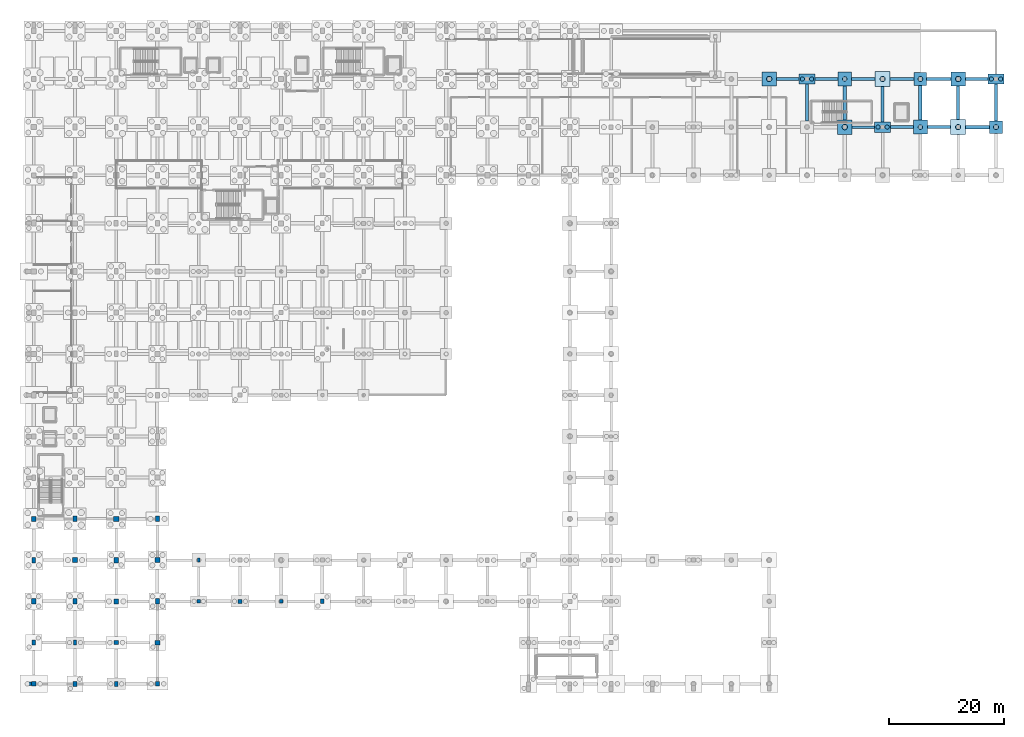
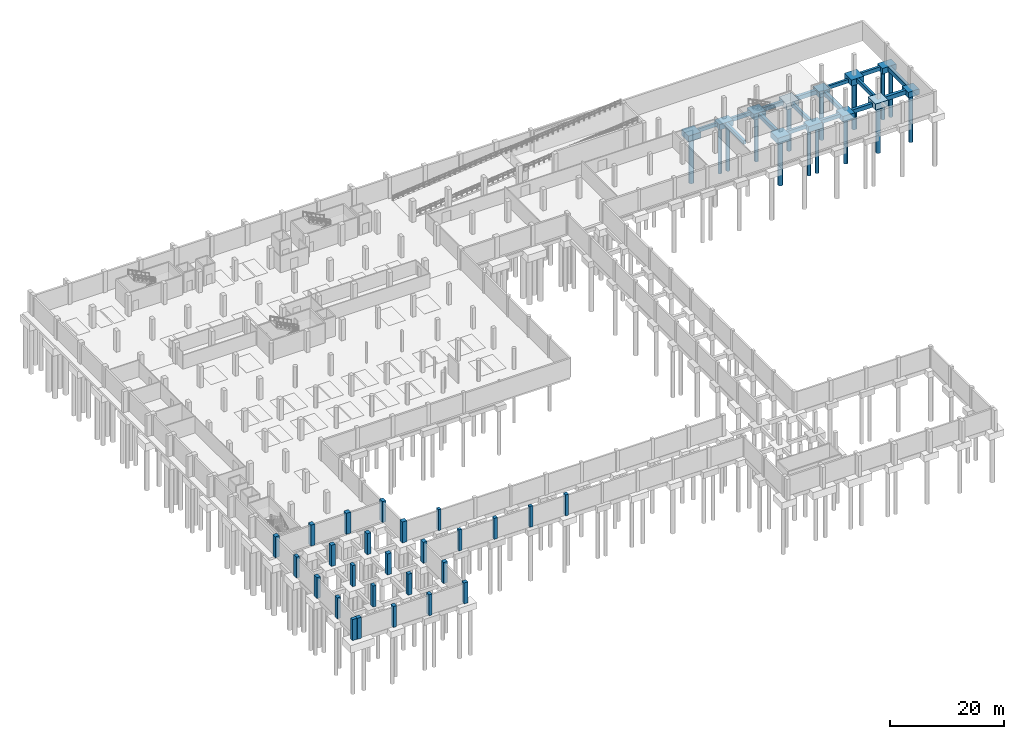
# One storey, part 13 of 35: 28 footings, 26 columns, 15 piles.
"""IFC4 building model written with IfcOpenShell, lengths in metres."""

from ifc_helpers import new_model, si_unit, direction, frame, origin, origin_2d, place, context, subcontext, project, spatial, rectangle, circle, extrude, material, material_profile, profile_set, type_object, element, save


model = new_model("IFC4")

# Units and contexts
model_context = context("Model", 3, precision=1e-05, world=origin(), true_north=direction((0.0, 1.0)))
body_context = subcontext(model_context, "Body", "Model", "MODEL_VIEW")
ifc_project = project(units=[si_unit("LENGTHUNIT", "METRE"), si_unit("AREAUNIT", "SQUARE_METRE"), si_unit("VOLUMEUNIT", "CUBIC_METRE"), si_unit("PLANEANGLEUNIT", "RADIAN"), si_unit("MASSUNIT", "GRAM", prefix="KILO")], contexts=[model_context])

# Site, building, storey
site_placement = place(None, origin())
site = spatial("IfcSite", under=ifc_project, at=site_placement, CompositionType="ELEMENT")
building_placement = place(site_placement, origin())
building = spatial("IfcBuilding", under=site, at=building_placement, Name="Kalluvel Institute of Natural Sciences", CompositionType="ELEMENT")
storey_placement = place(building_placement, frame((0.0, 0.0, -4.5)))
storey = spatial("IfcBuildingStorey", under=building, at=storey_placement, Name="B1", CompositionType="ELEMENT", Elevation=-4.5)

# Footings
ifc_material_1 = material(Name="Concrete M40", Category="concrete")
footing_type_1 = type_object("IfcFootingType", Name="FB-450x750", PredefinedType="FOOTING_BEAM", material=ifc_material_1)
for number, where, z_axis, x_axis, name in (
    (1, (158.824951171875, 111.199951171875, -1.199951171875), (0.0, 0.0, 1.0), (1.0, 0.0, 0.0), "Foundation tie beam GB-X-156"),
    (2, (145.625, 119.60009765625, -1.199951171875), (0.0, 0.0, 1.0), (1.0, 0.0, 0.0), "Foundation tie beam GB-X-176"),
):
    element("IfcFooting", number, at=place(storey_placement, frame(where, z_axis=z_axis, x_axis=x_axis)), inside=storey, type_object=footing_type_1, Name=name, PredefinedType="FOOTING_BEAM", context=body_context, shape_type="SweptSolid", body=[
        extrude(rectangle(XDim=3.949951171875, YDim=0.449951171875, at=origin_2d()), origin(), (0.0, 0.0, 1.0), 0.75),
    ])
footing_1_placement = place(storey_placement, frame((172.02490234375, 119.60009765625, -1.199951171875), z_axis=(0.0, 0.0, 1.0), x_axis=(1.0, 0.0, 0.0)))
element("IfcFooting", 3, at=footing_1_placement, inside=storey, type_object=footing_type_1, Name="Foundation tie beam GB-X-180", PredefinedType="FOOTING_BEAM", context=body_context, shape_type="SweptSolid", body=[
    extrude(rectangle(XDim=4.25, YDim=0.449951171875, at=origin_2d()), origin(), (0.0, 0.0, 1.0), 0.75),
])
footing_type_2 = type_object("IfcFootingType", Name="FB-500x800", PredefinedType="FOOTING_BEAM", material=ifc_material_1)
for number, where, z_axis, x_axis, name in (
    (4, (165.60009765625, 111.199951171875, -1.25), (0.0, 0.0, 1.0), (1.0, 0.0, 0.0), "Foundation tie beam GB-X-157"),
    (5, (152.39990234375, 119.60009765625, -1.25), (0.0, 0.0, 1.0), (1.0, 0.0, 0.0), "Foundation tie beam GB-X-177"),
):
    element("IfcFooting", number, at=place(storey_placement, frame(where, z_axis=z_axis, x_axis=x_axis)), inside=storey, type_object=footing_type_2, Name=name, PredefinedType="FOOTING_BEAM", context=body_context, shape_type="SweptSolid", body=[
        extrude(rectangle(XDim=4.0, YDim=0.5, at=origin_2d()), origin(), (0.0, 0.0, 1.0), 0.800048828125),
    ])
footing_2_placement = place(storey_placement, frame((178.625, 119.60009765625, -0.7998046875), z_axis=(0.0, 0.0, 1.0), x_axis=(1.0, 0.0, 0.0)))
element("IfcFooting", 6, at=footing_2_placement, inside=storey, type_object=footing_type_2, Name="Foundation tie beam GB-X-181", PredefinedType="FOOTING_BEAM", context=body_context, shape_type="SweptSolid", body=[
    extrude(rectangle(XDim=3.949951171875, YDim=0.5, at=origin_2d()), origin(), (0.0, 0.0, 1.0), 0.800048828125),
])
footing_3_placement = place(storey_placement, frame((149.0, 115.5, -1.25), z_axis=(0.0, 0.0, 1.0), x_axis=(1.0, 0.0, 0.0)))
element("IfcFooting", 7, at=footing_3_placement, inside=storey, type_object=footing_type_2, Name="Foundation tie beam GB-Y-369", PredefinedType="FOOTING_BEAM", context=body_context, shape_type="SweptSolid", body=[
    extrude(rectangle(XDim=0.5, YDim=6.39990234375, at=origin_2d()), origin(), (0.0, 0.0, 1.0), 0.800048828125),
])
footing_4_placement = place(storey_placement, frame((162.199951171875, 115.199951171875, -1.25), z_axis=(0.0, 0.0, 1.0), x_axis=(1.0, 0.0, 0.0)))
element("IfcFooting", 8, at=footing_4_placement, inside=storey, type_object=footing_type_2, Name="Foundation tie beam GB-Y-373", PredefinedType="FOOTING_BEAM", context=body_context, shape_type="SweptSolid", body=[
    extrude(rectangle(XDim=0.5, YDim=6.199951171875, at=origin_2d()), origin(), (0.0, 0.0, 1.0), 0.800048828125),
])
footing_5_placement = place(storey_placement, frame((175.39990234375, 115.425048828125, -0.7998046875), z_axis=(0.0, 0.0, 1.0), x_axis=(1.0, 0.0, 0.0)))
element("IfcFooting", 9, at=footing_5_placement, inside=storey, type_object=footing_type_2, Name="Foundation tie beam GB-Y-377", PredefinedType="FOOTING_BEAM", context=body_context, shape_type="SweptSolid", body=[
    extrude(rectangle(XDim=0.5, YDim=5.85009765625, at=origin_2d()), origin(), (0.0, 0.0, 1.0), 0.800048828125),
])
footing_type_3 = type_object("IfcFootingType", Name="FB-550x850", PredefinedType="FOOTING_BEAM", material=ifc_material_1)
for number, where, z_axis, x_axis, name in (
    (10, (172.050048828125, 111.199951171875, -1.300048828125), (0.0, 0.0, 1.0), (1.0, 0.0, 0.0), "Foundation tie beam GB-X-158"),
    (11, (158.85009765625, 119.60009765625, -1.300048828125), (0.0, 0.0, 1.0), (1.0, 0.0, 0.0), "Foundation tie beam GB-X-178"),
):
    element("IfcFooting", number, at=place(storey_placement, frame(where, z_axis=z_axis, x_axis=x_axis)), inside=storey, type_object=footing_type_3, Name=name, PredefinedType="FOOTING_BEAM", context=body_context, shape_type="SweptSolid", body=[
        extrude(rectangle(XDim=4.10009765625, YDim=0.550048828125, at=origin_2d()), origin(), (0.0, 0.0, 1.0), 0.85009765625),
    ])
footing_type_4 = type_object("IfcFootingType", Name="FB-600x900", PredefinedType="FOOTING_BEAM", material=ifc_material_1)
for number, where, z_axis, x_axis, name in (
    (12, (178.800048828125, 111.199951171875, -0.89990234375), (0.0, 0.0, 1.0), (1.0, 0.0, 0.0), "Foundation tie beam GB-X-159"),
    (13, (165.60009765625, 119.60009765625, -1.349853515625), (0.0, 0.0, 1.0), (1.0, 0.0, 0.0), "Foundation tie beam GB-X-179"),
):
    element("IfcFooting", number, at=place(storey_placement, frame(where, z_axis=z_axis, x_axis=x_axis)), inside=storey, type_object=footing_type_4, Name=name, PredefinedType="FOOTING_BEAM", context=body_context, shape_type="SweptSolid", body=[
        extrude(rectangle(XDim=4.199951171875, YDim=0.60009765625, at=origin_2d()), origin(), (0.0, 0.0, 1.0), 0.89990234375),
    ])
footing_6_placement = place(storey_placement, frame((155.60009765625, 115.425048828125, -1.349853515625), z_axis=(0.0, 0.0, 1.0), x_axis=(1.0, 0.0, 0.0)))
element("IfcFooting", 14, at=footing_6_placement, inside=storey, type_object=footing_type_4, Name="Foundation tie beam GB-Y-371", PredefinedType="FOOTING_BEAM", context=body_context, shape_type="SweptSolid", body=[
    extrude(rectangle(XDim=0.60009765625, YDim=5.949951171875, at=origin_2d()), origin(), (0.0, 0.0, 1.0), 0.89990234375),
])
footing_7_placement = place(storey_placement, frame((168.800048828125, 115.449951171875, -1.349853515625), z_axis=(0.0, 0.0, 1.0), x_axis=(1.0, 0.0, 0.0)))
element("IfcFooting", 15, at=footing_7_placement, inside=storey, type_object=footing_type_4, Name="Foundation tie beam GB-Y-375", PredefinedType="FOOTING_BEAM", context=body_context, shape_type="SweptSolid", body=[
    extrude(rectangle(XDim=0.60009765625, YDim=6.10009765625, at=origin_2d()), origin(), (0.0, 0.0, 1.0), 0.89990234375),
])
footing_8_placement = place(storey_placement, frame((182.0, 115.5, -0.89990234375), z_axis=(0.0, 0.0, 1.0), x_axis=(1.0, 0.0, 0.0)))
element("IfcFooting", 16, at=footing_8_placement, inside=storey, type_object=footing_type_4, Name="Foundation tie beam GB-Y-379", PredefinedType="FOOTING_BEAM", context=body_context, shape_type="SweptSolid", body=[
    extrude(rectangle(XDim=0.60009765625, YDim=6.39990234375, at=origin_2d()), origin(), (0.0, 0.0, 1.0), 0.89990234375),
])
footing_type_5 = type_object("IfcFootingType", Name="PC-2200x2200x1200", PredefinedType="PILE_CAP", material=ifc_material_1)
for number, where, z_axis, x_axis, name in (
    (17, (168.800048828125, 119.60009765625, -1.64990234375), (0.0, 0.0, 1.0), (1.0, 0.0, 0.0), "Pile cap CAP-220"),
    (18, (182.0, 111.199951171875, -1.2001953125), (0.0, 0.0, 1.0), (1.0, 0.0, 0.0), "Pile cap CAP-225"),
):
    element("IfcFooting", number, at=place(storey_placement, frame(where, z_axis=z_axis, x_axis=x_axis)), inside=storey, type_object=footing_type_5, Name=name, PredefinedType="PILE_CAP", context=body_context, shape_type="SweptSolid", body=[
        extrude(rectangle(XDim=2.199951171875, YDim=2.199951171875, at=origin_2d()), origin(), (0.0, 0.0, 1.0), 1.199951171875),
    ])
footing_type_6 = type_object("IfcFootingType", Name="PC-2400x2400x1250", PredefinedType="PILE_CAP", material=ifc_material_1)
for number, where, z_axis, x_axis, name in (
    (19, (155.60009765625, 119.60009765625, -1.699951171875), (0.0, 0.0, 1.0), (1.0, 0.0, 0.0), "Pile cap CAP-214"),
    (20, (168.800048828125, 111.199951171875, -1.699951171875), (0.0, 0.0, 1.0), (1.0, 0.0, 0.0), "Pile cap CAP-219"),
):
    element("IfcFooting", number, at=place(storey_placement, frame(where, z_axis=z_axis, x_axis=x_axis)), inside=storey, type_object=footing_type_6, Name=name, PredefinedType="PILE_CAP", context=body_context, shape_type="SweptSolid", body=[
        extrude(rectangle(XDim=2.39990234375, YDim=2.39990234375, at=origin_2d()), origin(), (0.0, 0.0, 1.0), 1.25),
    ])
footing_type_7 = type_object("IfcFootingType", Name="PC-2500x2500x1280", PredefinedType="PILE_CAP", material=ifc_material_1)
for number, where, z_axis, x_axis, name in (
    (21, (142.39990234375, 119.60009765625, -1.72998046875), (0.0, 0.0, 1.0), (1.0, 0.0, 0.0), "Pile cap CAP-208"),
    (22, (155.60009765625, 111.199951171875, -1.72998046875), (0.0, 0.0, 1.0), (1.0, 0.0, 0.0), "Pile cap CAP-213"),
    (23, (175.39990234375, 119.60009765625, -1.27978515625), (0.0, 0.0, 1.0), (1.0, 0.0, 0.0), "Pile cap CAP-223"),
):
    element("IfcFooting", number, at=place(storey_placement, frame(where, z_axis=z_axis, x_axis=x_axis)), inside=storey, type_object=footing_type_7, Name=name, PredefinedType="PILE_CAP", context=body_context, shape_type="SweptSolid", body=[
        extrude(rectangle(XDim=2.5, YDim=2.5, at=origin_2d()), origin(), (0.0, 0.0, 1.0), 1.280029296875),
    ])
footing_type_8 = type_object("IfcFootingType", Name="PC-2600x2600x1300", PredefinedType="PILE_CAP", material=ifc_material_1)
for number, where, z_axis, x_axis, name in (
    (24, (162.199951171875, 119.60009765625, -1.75), (0.0, 0.0, 1.0), (1.0, 0.0, 0.0), "Pile cap CAP-217"),
    (25, (175.39990234375, 111.199951171875, -1.2998046875), (0.0, 0.0, 1.0), (1.0, 0.0, 0.0), "Pile cap CAP-222"),
):
    element("IfcFooting", number, at=place(storey_placement, frame(where, z_axis=z_axis, x_axis=x_axis)), inside=storey, type_object=footing_type_8, Name=name, PredefinedType="PILE_CAP", context=body_context, shape_type="SweptSolid", body=[
        extrude(rectangle(XDim=2.60009765625, YDim=2.60009765625, at=origin_2d()), origin(), (0.0, 0.0, 1.0), 1.300048828125),
    ])
footing_type_9 = type_object("IfcFootingType", Name="PC-2800x1800x1200", PredefinedType="PILE_CAP", material=ifc_material_1)
for number, where, z_axis, x_axis, name in (
    (26, (149.0, 119.60009765625, -1.64990234375), (0.0, 0.0, 1.0), (1.0, 0.0, 0.0), "Pile cap CAP-211"),
    (27, (162.199951171875, 111.199951171875, -1.64990234375), (0.0, 0.0, 1.0), (1.0, 0.0, 0.0), "Pile cap CAP-216"),
    (28, (182.0, 119.60009765625, -1.2001953125), (0.0, 0.0, 1.0), (1.0, 0.0, 0.0), "Pile cap CAP-226"),
):
    element("IfcFooting", number, at=place(storey_placement, frame(where, z_axis=z_axis, x_axis=x_axis)), inside=storey, type_object=footing_type_9, Name=name, PredefinedType="PILE_CAP", context=body_context, shape_type="SweptSolid", body=[
        extrude(rectangle(XDim=2.800048828125, YDim=1.800048828125, at=origin_2d()), origin(), (0.0, 0.0, 1.0), 1.199951171875),
    ])

# Piles
ifc_material_profile_1 = material_profile(ifc_material_1, circle(Radius=0.375, at=origin_2d()), Name="PILE D750")
ifc_profile_set_1 = profile_set([ifc_material_profile_1], Name="Concrete M40")
pile_type_1 = type_object("IfcPileType", Name="PILE-D750", PredefinedType="BORED", material=ifc_profile_set_1)
for number, where, z_axis, x_axis, name in (
    (29, (148.199951171875, 119.60009765625, -1.530029296875), (0.0, 0.0, -1.0), (1.0, 0.0, 0.0), "Bored rock-socketed pile PILE-X14820-Y11960"),
    (30, (149.800048828125, 119.60009765625, -1.530029296875), (0.0, 0.0, -1.0), (1.0, 0.0, 0.0), "Bored rock-socketed pile PILE-X14980-Y11960"),
    (31, (161.39990234375, 111.199951171875, -1.530029296875), (0.0, 0.0, -1.0), (1.0, 0.0, 0.0), "Bored rock-socketed pile PILE-X16140-Y11120"),
    (32, (163.0, 111.199951171875, -1.530029296875), (0.0, 0.0, -1.0), (1.0, 0.0, 0.0), "Bored rock-socketed pile PILE-X16300-Y11120"),
):
    element("IfcPile", number, at=place(storey_placement, frame(where, z_axis=z_axis, x_axis=x_axis)), inside=storey, type_object=pile_type_1, Name=name, PredefinedType="BORED", context=body_context, shape_type="SweptSolid", body=[
        extrude(circle(Radius=0.375, at=origin_2d()), origin(), (0.0, 0.0, 1.0), 9.969970703125),
    ])
for number, where, z_axis, x_axis, name in (
    (33, (181.199951171875, 119.60009765625, -1.080078125), (0.0, 0.0, -1.0), (1.0, 0.0, 0.0), "Bored rock-socketed pile PILE-X18120-Y11960"),
    (34, (182.800048828125, 119.60009765625, -1.080078125), (0.0, 0.0, -1.0), (1.0, 0.0, 0.0), "Bored rock-socketed pile PILE-X18280-Y11960"),
):
    element("IfcPile", number, at=place(storey_placement, frame(where, z_axis=z_axis, x_axis=x_axis)), inside=storey, type_object=pile_type_1, Name=name, PredefinedType="BORED", context=body_context, shape_type="SweptSolid", body=[
        extrude(circle(Radius=0.375, at=origin_2d()), origin(), (0.0, 0.0, 1.0), 10.419921875),
    ])
ifc_material_profile_2 = material_profile(ifc_material_1, circle(Radius=0.39990234375, at=origin_2d()), Name="PILE D800")
ifc_profile_set_2 = profile_set([ifc_material_profile_2], Name="Concrete M40")
pile_type_2 = type_object("IfcPileType", Name="PILE-D800", PredefinedType="BORED", material=ifc_profile_set_2)
for number, where, z_axis, x_axis, name in (
    (35, (155.60009765625, 119.60009765625, -1.580078125), (0.0, 0.0, -1.0), (1.0, 0.0, 0.0), "Bored rock-socketed pile PILE-X15560-Y11960"),
    (36, (168.800048828125, 111.199951171875, -1.580078125), (0.0, 0.0, -1.0), (1.0, 0.0, 0.0), "Bored rock-socketed pile PILE-X16880-Y11120"),
):
    element("IfcPile", number, at=place(storey_placement, frame(where, z_axis=z_axis, x_axis=x_axis)), inside=storey, type_object=pile_type_2, Name=name, PredefinedType="BORED", context=body_context, shape_type="SweptSolid", body=[
        extrude(circle(Radius=0.39990234375, at=origin_2d()), origin(), (0.0, 0.0, 1.0), 9.919921875),
    ])
ifc_material_profile_3 = material_profile(ifc_material_1, circle(Radius=0.425048828125, at=origin_2d()), Name="PILE D850")
ifc_profile_set_3 = profile_set([ifc_material_profile_3], Name="Concrete M40")
pile_type_3 = type_object("IfcPileType", Name="PILE-D850", PredefinedType="BORED", material=ifc_profile_set_3)
pile_1_placement = place(storey_placement, frame((168.800048828125, 119.60009765625, -1.530029296875), z_axis=(0.0, 0.0, -1.0), x_axis=(1.0, 0.0, 0.0)))
element("IfcPile", 37, at=pile_1_placement, inside=storey, type_object=pile_type_3, Name="Bored rock-socketed pile PILE-X16880-Y11960", PredefinedType="BORED", context=body_context, shape_type="SweptSolid", body=[
    extrude(circle(Radius=0.425048828125, at=origin_2d()), origin(), (0.0, 0.0, 1.0), 9.969970703125),
])
pile_2_placement = place(storey_placement, frame((182.0, 111.199951171875, -1.080078125), z_axis=(0.0, 0.0, -1.0), x_axis=(1.0, 0.0, 0.0)))
element("IfcPile", 38, at=pile_2_placement, inside=storey, type_object=pile_type_3, Name="Bored rock-socketed pile PILE-X18200-Y11120", PredefinedType="BORED", context=body_context, shape_type="SweptSolid", body=[
    extrude(circle(Radius=0.425048828125, at=origin_2d()), origin(), (0.0, 0.0, 1.0), 10.419921875),
])
ifc_material_profile_4 = material_profile(ifc_material_1, circle(Radius=0.449951171875, at=origin_2d()), Name="PILE D900")
ifc_profile_set_4 = profile_set([ifc_material_profile_4], Name="Concrete M40")
pile_type_4 = type_object("IfcPileType", Name="PILE-D900", PredefinedType="BORED", material=ifc_profile_set_4)
pile_3_placement = place(storey_placement, frame((162.199951171875, 119.60009765625, -1.6298828125), z_axis=(0.0, 0.0, -1.0), x_axis=(1.0, 0.0, 0.0)))
element("IfcPile", 39, at=pile_3_placement, inside=storey, type_object=pile_type_4, Name="Bored rock-socketed pile PILE-X16220-Y11960", PredefinedType="BORED", context=body_context, shape_type="SweptSolid", body=[
    extrude(circle(Radius=0.449951171875, at=origin_2d()), origin(), (0.0, 0.0, 1.0), 9.8701171875),
])
pile_4_placement = place(storey_placement, frame((175.39990234375, 111.199951171875, -1.179931640625), z_axis=(0.0, 0.0, -1.0), x_axis=(1.0, 0.0, 0.0)))
element("IfcPile", 40, at=pile_4_placement, inside=storey, type_object=pile_type_4, Name="Bored rock-socketed pile PILE-X17540-Y11120", PredefinedType="BORED", context=body_context, shape_type="SweptSolid", body=[
    extrude(circle(Radius=0.449951171875, at=origin_2d()), origin(), (0.0, 0.0, 1.0), 10.320068359375),
])
ifc_material_profile_5 = material_profile(ifc_material_1, circle(Radius=0.47509765625, at=origin_2d()), Name="PILE D950")
ifc_profile_set_5 = profile_set([ifc_material_profile_5], Name="Concrete M40")
pile_type_5 = type_object("IfcPileType", Name="PILE-D950", PredefinedType="BORED", material=ifc_profile_set_5)
for number, where, z_axis, x_axis, name in (
    (41, (142.39990234375, 119.60009765625, -1.610107421875), (0.0, 0.0, -1.0), (1.0, 0.0, 0.0), "Bored rock-socketed pile PILE-X14240-Y11960"),
    (42, (155.60009765625, 111.199951171875, -1.610107421875), (0.0, 0.0, -1.0), (1.0, 0.0, 0.0), "Bored rock-socketed pile PILE-X15560-Y11120"),
):
    element("IfcPile", number, at=place(storey_placement, frame(where, z_axis=z_axis, x_axis=x_axis)), inside=storey, type_object=pile_type_5, Name=name, PredefinedType="BORED", context=body_context, shape_type="SweptSolid", body=[
        extrude(circle(Radius=0.47509765625, at=origin_2d()), origin(), (0.0, 0.0, 1.0), 9.889892578125),
    ])
pile_5_placement = place(storey_placement, frame((175.39990234375, 119.60009765625, -1.159912109375), z_axis=(0.0, 0.0, -1.0), x_axis=(1.0, 0.0, 0.0)))
element("IfcPile", 43, at=pile_5_placement, inside=storey, type_object=pile_type_5, Name="Bored rock-socketed pile PILE-X17540-Y11960", PredefinedType="BORED", context=body_context, shape_type="SweptSolid", body=[
    extrude(circle(Radius=0.47509765625, at=origin_2d()), origin(), (0.0, 0.0, 1.0), 10.340087890625),
])

# Columns
ifc_material_profile_6 = material_profile(ifc_material_1, rectangle(XDim=0.5, YDim=0.699951171875, at=origin_2d()), Name="RC 500x700")
ifc_profile_set_6 = profile_set([ifc_material_profile_6], Name="Concrete M40")
column_type_1 = type_object("IfcColumnType", Name="COL-RC500x700", PredefinedType="COLUMN", material=ifc_profile_set_6)
column_1_placement = place(storey_placement, frame((42.800048828125, 35.60009765625, 0.0), z_axis=(0.0, 0.0, 1.0), x_axis=(1.0, 0.0, 0.0)))
element("IfcColumn", 44, at=column_1_placement, inside=storey, type_object=column_type_1, Name="B1 structural column COL-B1-X428-Y356", PredefinedType="COLUMN", context=body_context, shape_type="SweptSolid", body=[
    extrude(rectangle(XDim=0.5, YDim=0.699951171875, at=origin_2d()), origin(), (0.0, 0.0, 1.0), 4.5),
])
ifc_material_profile_7 = material_profile(ifc_material_1, rectangle(XDim=0.60009765625, YDim=0.60009765625, at=origin_2d()), Name="RC 600x600")
ifc_profile_set_7 = profile_set([ifc_material_profile_7], Name="Concrete M40")
column_type_2 = type_object("IfcColumnType", Name="COL-RC600", PredefinedType="COLUMN", material=ifc_profile_set_7)
for number, where, z_axis, x_axis, name in (
    (45, (42.800048828125, 28.39990234375, 0.0), (0.0, 0.0, 1.0), (1.0, 0.0, 0.0), "B1 structural column COL-B1-X428-Y284"),
    (46, (57.199951171875, 28.39990234375, 0.0), (0.0, 0.0, 1.0), (1.0, 0.0, 0.0), "B1 structural column COL-B1-X572-Y284"),
):
    element("IfcColumn", number, at=place(storey_placement, frame(where, z_axis=z_axis, x_axis=x_axis)), inside=storey, type_object=column_type_2, Name=name, PredefinedType="COLUMN", context=body_context, shape_type="SweptSolid", body=[
        extrude(rectangle(XDim=0.60009765625, YDim=0.60009765625, at=origin_2d()), origin(), (0.0, 0.0, 1.0), 4.5),
    ])
ifc_material_2 = material(Name="Concrete M50", Category="concrete")
ifc_material_profile_8 = material_profile(ifc_material_2, rectangle(XDim=0.60009765625, YDim=0.800048828125, at=origin_2d()), Name="RC 600x800")
ifc_profile_set_8 = profile_set([ifc_material_profile_8], Name="Concrete M50")
column_type_3 = type_object("IfcColumnType", Name="COL-RC600x800", PredefinedType="COLUMN", material=ifc_profile_set_8)
column_2_placement = place(storey_placement, frame((64.39990234375, 28.39990234375, 0.0), z_axis=(0.0, 0.0, 1.0), x_axis=(1.0, 0.0, 0.0)))
element("IfcColumn", 47, at=column_2_placement, inside=storey, type_object=column_type_3, Name="B1 structural column COL-B1-X644-Y284", PredefinedType="COLUMN", context=body_context, shape_type="SweptSolid", body=[
    extrude(rectangle(XDim=0.60009765625, YDim=0.800048828125, at=origin_2d()), origin(), (0.0, 0.0, 1.0), 4.5),
])
ifc_material_profile_9 = material_profile(ifc_material_2, rectangle(XDim=0.60009765625, YDim=0.89990234375, at=origin_2d()), Name="RC 600x900")
ifc_profile_set_9 = profile_set([ifc_material_profile_9], Name="Concrete M50")
column_type_4 = type_object("IfcColumnType", Name="COL-RC600x900", PredefinedType="COLUMN", material=ifc_profile_set_9)
for number, where, z_axis, x_axis, name in (
    (48, (21.199951171875, 21.199951171875, 0.0), (0.0, 0.0, 1.0), (1.0, 0.0, 0.0), "B1 structural column COL-B1-X212-Y212"),
    (49, (28.39990234375, 14.0, 0.0), (0.0, 0.0, 1.0), (1.0, 0.0, 0.0), "B1 structural column COL-B1-X284-Y140"),
):
    element("IfcColumn", number, at=place(storey_placement, frame(where, z_axis=z_axis, x_axis=x_axis)), inside=storey, type_object=column_type_4, Name=name, PredefinedType="COLUMN", context=body_context, shape_type="SweptSolid", body=[
        extrude(rectangle(XDim=0.60009765625, YDim=0.89990234375, at=origin_2d()), origin(), (0.0, 0.0, 1.0), 4.5),
    ])
ifc_material_profile_10 = material_profile(ifc_material_2, rectangle(XDim=0.64990234375, YDim=0.85009765625, at=origin_2d()), Name="RC 650x850")
ifc_profile_set_10 = profile_set([ifc_material_profile_10], Name="Concrete M50")
column_type_5 = type_object("IfcColumnType", Name="COL-RC650x850", PredefinedType="COLUMN", material=ifc_profile_set_10)
for number, where, z_axis, x_axis, name in (
    (50, (14.0, 21.199951171875, 0.0), (0.0, 0.0, 1.0), (1.0, 0.0, 0.0), "B1 structural column COL-B1-X140-Y212"),
    (51, (21.199951171875, 14.0, 0.0), (0.0, 0.0, 1.0), (1.0, 0.0, 0.0), "B1 structural column COL-B1-X212-Y140"),
):
    element("IfcColumn", number, at=place(storey_placement, frame(where, z_axis=z_axis, x_axis=x_axis)), inside=storey, type_object=column_type_5, Name=name, PredefinedType="COLUMN", context=body_context, shape_type="SweptSolid", body=[
        extrude(rectangle(XDim=0.64990234375, YDim=0.85009765625, at=origin_2d()), origin(), (0.0, 0.0, 1.0), 4.5),
    ])
ifc_material_profile_11 = material_profile(ifc_material_2, rectangle(XDim=0.64990234375, YDim=0.949951171875, at=origin_2d()), Name="RC 650x950")
ifc_profile_set_11 = profile_set([ifc_material_profile_11], Name="Concrete M50")
column_type_6 = type_object("IfcColumnType", Name="COL-RC650x950", PredefinedType="COLUMN", material=ifc_profile_set_11)
for number, where, z_axis, x_axis, name in (
    (52, (14.0, 35.60009765625, 0.0), (0.0, 0.0, 1.0), (1.0, 0.0, 0.0), "B1 structural column COL-B1-X140-Y356"),
    (53, (21.199951171875, 28.39990234375, 0.0), (0.0, 0.0, 1.0), (1.0, 0.0, 0.0), "B1 structural column COL-B1-X212-Y284"),
    (54, (13.1220703125, 14.0, 0.0), (0.0, 0.0, 1.0), (0.0, 1.0, 0.0), "B1 Gothic stepped Sadarahalli granite buttress 71"),
):
    element("IfcColumn", number, at=place(storey_placement, frame(where, z_axis=z_axis, x_axis=x_axis)), inside=storey, type_object=column_type_6, Name=name, PredefinedType="COLUMN", context=body_context, shape_type="SweptSolid", body=[
        extrude(rectangle(XDim=0.64990234375, YDim=0.949951171875, at=origin_2d()), origin(), (0.0, 0.0, 1.0), 4.5),
    ])
ifc_material_profile_12 = material_profile(ifc_material_1, rectangle(XDim=0.699951171875, YDim=0.699951171875, at=origin_2d()), Name="RC 700x700")
ifc_profile_set_12 = profile_set([ifc_material_profile_12], Name="Concrete M40")
column_type_7 = type_object("IfcColumnType", Name="COL-RC700", PredefinedType="COLUMN", material=ifc_profile_set_12)
column_3_placement = place(storey_placement, frame((50.0, 28.39990234375, 0.0), z_axis=(0.0, 0.0, 1.0), x_axis=(1.0, 0.0, 0.0)))
element("IfcColumn", 55, at=column_3_placement, inside=storey, type_object=column_type_7, Name="B1 structural column COL-B1-X500-Y284", PredefinedType="COLUMN", context=body_context, shape_type="SweptSolid", body=[
    extrude(rectangle(XDim=0.699951171875, YDim=0.699951171875, at=origin_2d()), origin(), (0.0, 0.0, 1.0), 4.5),
])
ifc_material_profile_13 = material_profile(ifc_material_2, rectangle(XDim=0.699951171875, YDim=1.0, at=origin_2d()), Name="RC 700x1000")
ifc_profile_set_13 = profile_set([ifc_material_profile_13], Name="Concrete M50")
column_type_8 = type_object("IfcColumnType", Name="COL-RC700x1000", PredefinedType="COLUMN", material=ifc_profile_set_13)
for number, where, z_axis, x_axis, name in (
    (56, (14.0, 28.39990234375, 0.0), (0.0, 0.0, 1.0), (1.0, 0.0, 0.0), "B1 structural column COL-B1-X140-Y284"),
    (57, (35.60009765625, 42.800048828125, 0.0), (0.0, 0.0, 1.0), (1.0, 0.0, 0.0), "B1 structural column COL-B1-X356-Y428"),
):
    element("IfcColumn", number, at=place(storey_placement, frame(where, z_axis=z_axis, x_axis=x_axis)), inside=storey, type_object=column_type_8, Name=name, PredefinedType="COLUMN", context=body_context, shape_type="SweptSolid", body=[
        extrude(rectangle(XDim=0.699951171875, YDim=1.0, at=origin_2d()), origin(), (0.0, 0.0, 1.0), 4.5),
    ])
ifc_material_profile_14 = material_profile(ifc_material_2, rectangle(XDim=0.75, YDim=0.75, at=origin_2d()), Name="RC 750x750")
ifc_profile_set_14 = profile_set([ifc_material_profile_14], Name="Concrete M50")
column_type_9 = type_object("IfcColumnType", Name="COL-RC750", PredefinedType="COLUMN", material=ifc_profile_set_14)
for number, where, z_axis, x_axis, name in (
    (58, (28.39990234375, 21.199951171875, 0.0), (0.0, 0.0, 1.0), (1.0, 0.0, 0.0), "B1 structural column COL-B1-X284-Y212"),
    (59, (35.60009765625, 14.0, 0.0), (0.0, 0.0, 1.0), (1.0, 0.0, 0.0), "B1 structural column COL-B1-X356-Y140"),
):
    element("IfcColumn", number, at=place(storey_placement, frame(where, z_axis=z_axis, x_axis=x_axis)), inside=storey, type_object=column_type_9, Name=name, PredefinedType="COLUMN", context=body_context, shape_type="SweptSolid", body=[
        extrude(rectangle(XDim=0.75, YDim=0.75, at=origin_2d()), origin(), (0.0, 0.0, 1.0), 4.5),
    ])
ifc_material_profile_15 = material_profile(ifc_material_2, rectangle(XDim=0.75, YDim=0.949951171875, at=origin_2d()), Name="RC 750x950")
ifc_profile_set_15 = profile_set([ifc_material_profile_15], Name="Concrete M50")
column_type_10 = type_object("IfcColumnType", Name="COL-RC750x950", PredefinedType="COLUMN", material=ifc_profile_set_15)
for number, where, z_axis, x_axis, name in (
    (60, (21.199951171875, 42.800048828125, 0.0), (0.0, 0.0, 1.0), (1.0, 0.0, 0.0), "B1 structural column COL-B1-X212-Y428"),
    (61, (28.39990234375, 35.60009765625, 0.0), (0.0, 0.0, 1.0), (1.0, 0.0, 0.0), "B1 structural column COL-B1-X284-Y356"),
    (62, (35.60009765625, 28.39990234375, 0.0), (0.0, 0.0, 1.0), (1.0, 0.0, 0.0), "B1 structural column COL-B1-X356-Y284"),
):
    element("IfcColumn", number, at=place(storey_placement, frame(where, z_axis=z_axis, x_axis=x_axis)), inside=storey, type_object=column_type_10, Name=name, PredefinedType="COLUMN", context=body_context, shape_type="SweptSolid", body=[
        extrude(rectangle(XDim=0.75, YDim=0.949951171875, at=origin_2d()), origin(), (0.0, 0.0, 1.0), 4.5),
    ])
ifc_material_profile_16 = material_profile(ifc_material_2, rectangle(XDim=0.800048828125, YDim=0.800048828125, at=origin_2d()), Name="RC 800x800")
ifc_profile_set_16 = profile_set([ifc_material_profile_16], Name="Concrete M50")
column_type_11 = type_object("IfcColumnType", Name="COL-RC800", PredefinedType="COLUMN", material=ifc_profile_set_16)
for number, where, z_axis, x_axis, name in (
    (63, (14.0, 14.0, 0.0), (0.0, 0.0, 1.0), (1.0, 0.0, 0.0), "B1 structural column COL-B1-X140-Y140"),
    (64, (35.60009765625, 21.199951171875, 0.0), (0.0, 0.0, 1.0), (1.0, 0.0, 0.0), "B1 structural column COL-B1-X356-Y212"),
):
    element("IfcColumn", number, at=place(storey_placement, frame(where, z_axis=z_axis, x_axis=x_axis)), inside=storey, type_object=column_type_11, Name=name, PredefinedType="COLUMN", context=body_context, shape_type="SweptSolid", body=[
        extrude(rectangle(XDim=0.800048828125, YDim=0.800048828125, at=origin_2d()), origin(), (0.0, 0.0, 1.0), 4.5),
    ])
ifc_material_profile_17 = material_profile(ifc_material_2, rectangle(XDim=0.85009765625, YDim=0.85009765625, at=origin_2d()), Name="RC 850x850")
ifc_profile_set_17 = profile_set([ifc_material_profile_17], Name="Concrete M50")
column_type_12 = type_object("IfcColumnType", Name="COL-RC850", PredefinedType="COLUMN", material=ifc_profile_set_17)
for number, where, z_axis, x_axis, name in (
    (65, (14.0, 42.800048828125, 0.0), (0.0, 0.0, 1.0), (1.0, 0.0, 0.0), "B1 structural column COL-B1-X140-Y428"),
    (66, (21.199951171875, 35.60009765625, 0.0), (0.0, 0.0, 1.0), (1.0, 0.0, 0.0), "B1 structural column COL-B1-X212-Y356"),
    (67, (28.39990234375, 28.39990234375, 0.0), (0.0, 0.0, 1.0), (1.0, 0.0, 0.0), "B1 structural column COL-B1-X284-Y284"),
):
    element("IfcColumn", number, at=place(storey_placement, frame(where, z_axis=z_axis, x_axis=x_axis)), inside=storey, type_object=column_type_12, Name=name, PredefinedType="COLUMN", context=body_context, shape_type="SweptSolid", body=[
        extrude(rectangle(XDim=0.85009765625, YDim=0.85009765625, at=origin_2d()), origin(), (0.0, 0.0, 1.0), 4.5),
    ])
ifc_material_profile_18 = material_profile(ifc_material_2, rectangle(XDim=0.89990234375, YDim=0.89990234375, at=origin_2d()), Name="RC 900x900")
ifc_profile_set_18 = profile_set([ifc_material_profile_18], Name="Concrete M50")
column_type_13 = type_object("IfcColumnType", Name="COL-RC900", PredefinedType="COLUMN", material=ifc_profile_set_18)
for number, where, z_axis, x_axis, name in (
    (68, (28.39990234375, 42.800048828125, 0.0), (0.0, 0.0, 1.0), (1.0, 0.0, 0.0), "B1 structural column COL-B1-X284-Y428"),
    (69, (35.60009765625, 35.60009765625, 0.0), (0.0, 0.0, 1.0), (1.0, 0.0, 0.0), "B1 structural column COL-B1-X356-Y356"),
):
    element("IfcColumn", number, at=place(storey_placement, frame(where, z_axis=z_axis, x_axis=x_axis)), inside=storey, type_object=column_type_13, Name=name, PredefinedType="COLUMN", context=body_context, shape_type="SweptSolid", body=[
        extrude(rectangle(XDim=0.89990234375, YDim=0.89990234375, at=origin_2d()), origin(), (0.0, 0.0, 1.0), 4.5),
    ])

save(model, "model.ifc")
